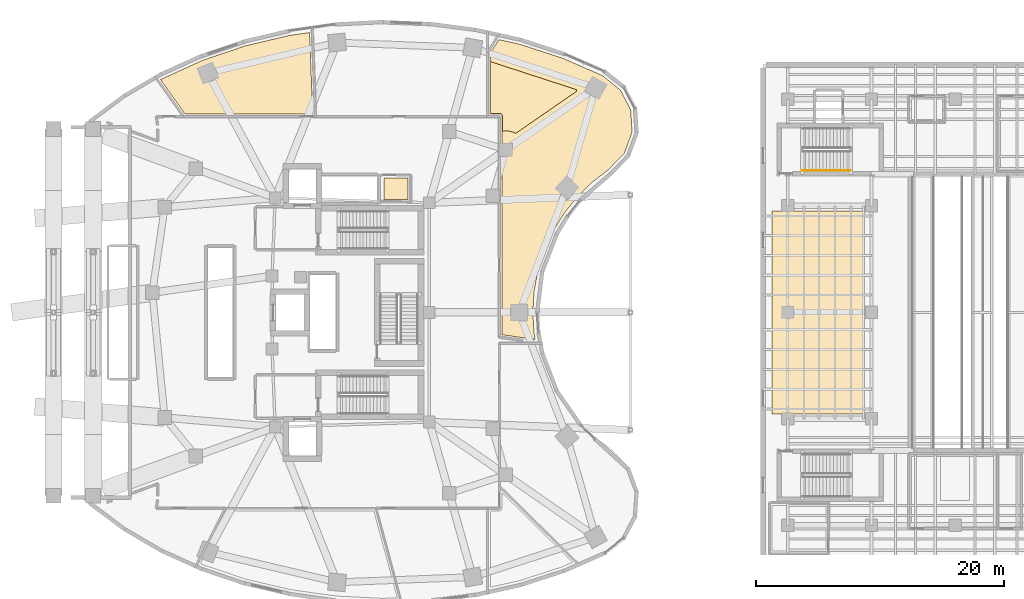
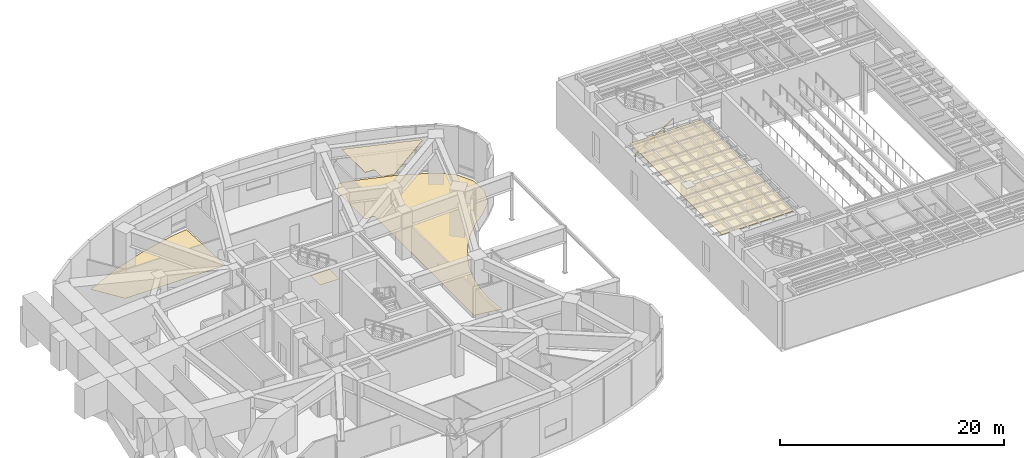
# One storey, part 22 of 23: 5 coverings, 1 railing.
"""IFC4 building model written with IfcOpenShell, lengths in metres."""

from ifc_helpers import new_model, si_unit, direction, frame, origin, origin_2d, place, context, subcontext, project, spatial, polyline, rectangle, outline, extrude, material, layer, layer_set, type_object, element, save


model = new_model("IFC4")

# Units and contexts
model_context = context("Model", 3, precision=1e-05, world=origin(), true_north=direction((0.0, 1.0)))
body_context = subcontext(model_context, "Body", "Model", "MODEL_VIEW")
ifc_project = project(units=[si_unit("LENGTHUNIT", "METRE"), si_unit("AREAUNIT", "SQUARE_METRE"), si_unit("VOLUMEUNIT", "CUBIC_METRE"), si_unit("PLANEANGLEUNIT", "RADIAN"), si_unit("MASSUNIT", "GRAM", prefix="KILO")], contexts=[model_context])

# Site, building, storey
site_placement = place(None, origin())
site = spatial("IfcSite", under=ifc_project, at=site_placement, CompositionType="ELEMENT")
building_placement = place(site_placement, origin())
building = spatial("IfcBuilding", under=site, at=building_placement, Name="Korentha Bioscience Tower", CompositionType="ELEMENT")
storey_placement = place(building_placement, frame((0.0, 0.0, 15.0)))
storey = spatial("IfcBuildingStorey", under=building, at=storey_placement, Name="L03", CompositionType="ELEMENT", Elevation=15.0)

# Covering
ifc_material_1 = material(Name="Vitrified Porcelain Tile", Category="ceramic")
ifc_layer_1 = layer(ifc_material_1, 0.014892578125, Name="Vitrified Porcelain Tile")
ifc_layer_set_1 = layer_set([ifc_layer_1], Name="Vitrified Porcelain Tile (FL-CER)")
covering_type_1 = type_object("IfcCoveringType", Name="Anti-Slip Ceramic Wet-Room Tile Flooring 15", PredefinedType="FLOORING", material=ifc_layer_set_1)
covering_1_placement = place(storey_placement, origin())
element("IfcCovering", 1, at=covering_1_placement, inside=storey, type_object=covering_type_1, Name="L03 Accessible Staff WC Floor Finish", PredefinedType="FLOORING", context=body_context, shape_type="SweptSolid", body=[
    extrude(outline(polyline([(33.8701171875, 36.1298828125), (33.8701171875, 37.8701171875), (35.830078125, 37.8701171875), (35.830078125, 36.1298828125), (33.8701171875, 36.1298828125)])), origin(), (0.0, 0.0, 1.0), 0.014892578125),
])

# Railing
ifc_material_2 = material(Name="Stainless Steel 304", Category="steel")
railing_type = type_object("IfcRailingType", Name="Brushed Stainless Stair Handrail 900", PredefinedType="HANDRAIL", material=ifc_material_2)
railing_placement = place(storey_placement, frame((67.64990234375, 38.449951171875, 0.179931640625)))
element("IfcRailing", 2, at=railing_placement, inside=storey, type_object=railing_type, Name="L03 ST-T2 stair handrail 1", PredefinedType="HANDRAIL", context=body_context, shape_type="SweptSolid", body=[
    extrude(rectangle(XDim=0.048095703125, YDim=0.048095703125, at=origin_2d()), frame((0.0, 0.0, 0.8759765625), z_axis=(0.841186985886, 0.0, 0.540744352514), x_axis=(0.0, 1.0, 0.0)), (0.0, 0.0, 1.0), 4.660400390625),
    extrude(rectangle(XDim=0.0419921875, YDim=0.0419921875, at=origin_2d()), origin(), (0.0, 0.0, 1.0), 0.851806640625),
    extrude(rectangle(XDim=0.0419921875, YDim=0.0419921875, at=origin_2d()), frame((0.97998046875, 0.0, 0.6298828125)), (0.0, 0.0, 1.0), 0.851806640625),
    extrude(rectangle(XDim=0.0419921875, YDim=0.0419921875, at=origin_2d()), frame((1.9599609375, 0.0, 1.260009765625)), (0.0, 0.0, 1.0), 0.851806640625),
    extrude(rectangle(XDim=0.0419921875, YDim=0.0419921875, at=origin_2d()), frame((2.940185546875, 0.0, 1.89013671875)), (0.0, 0.0, 1.0), 0.851806640625),
    extrude(rectangle(XDim=0.0419921875, YDim=0.0419921875, at=origin_2d()), frame((3.920166015625, 0.0, 2.52001953125)), (0.0, 0.0, 1.0), 0.851806640625),
])

# Coverings
ifc_material_3 = material(Name="Antimicrobial Mineral Fibre Board", Category="gypsum")
ifc_layer_2 = layer(ifc_material_3, 0.034912109375, Name="Antimicrobial Mineral Fibre Board")
ifc_layer_set_2 = layer_set([ifc_layer_2], Name="Antimicrobial Mineral Fibre Board (CL-MF35)")
covering_type_2 = type_object("IfcCoveringType", Name="Mineral-Fibre Cleanroom Suspended Ceiling 35", PredefinedType="CEILING", material=ifc_layer_set_2)
covering_2_placement = place(storey_placement, frame((0.0, 0.0, 5.014892578125)))
element("IfcCovering", 3, at=covering_2_placement, inside=storey, type_object=covering_type_2, Name="L03 Audio-Visual Equipment Store 06 Acoustic Ceiling", PredefinedType="CEILING", context=body_context, shape_type="SweptSolid", body=[
    extrude(outline(polyline([(43.459716796875, 42.812255859375), (43.408447265625, 42.955322265625), (43.3544921875, 43.009033203125), (43.263671875, 43.052001953125), (42.501953125, 43.06005859375), (42.501953125, 47.24267578125), (49.434814453125, 44.985595703125), (49.452392578125, 44.864990234375), (44.517333984375, 41.452392578125), (44.31982421875, 41.55322265625), (44.029052734375, 41.6416015625), (43.7265625, 41.67138671875), (43.4599609375, 41.646728515625), (43.459716796875, 42.812255859375)])), origin(), (0.0, 0.0, 1.0), 0.03515625),
])
ifc_material_4 = material(Name="Perforated Powder-Coated Aluminium", Category="aluminium")
ifc_layer_3 = layer(ifc_material_4, 0.044921875, Name="Perforated Powder-Coated Aluminium")
ifc_layer_set_3 = layer_set([ifc_layer_3], Name="Perforated Powder-Coated Aluminium (CL-M45)")
covering_type_3 = type_object("IfcCoveringType", Name="Perforated Metal Laboratory Acoustic Ceiling 45", PredefinedType="CEILING", material=ifc_layer_set_3)
covering_3_placement = place(storey_placement, frame((0.0, 0.0, 5.0048828125)))
element("IfcCovering", 4, at=covering_3_placement, inside=storey, type_object=covering_type_3, Name="L03 Acoustic Metal Baffle Ceiling", PredefinedType="CEILING", context=body_context, shape_type="SweptSolid", body=[
    extrude(outline(polyline([(65.199951171875, 18.800048828125), (72.60009765625, 18.800048828125), (72.60009765625, 35.199951171875), (65.199951171875, 35.199951171875), (65.199951171875, 18.800048828125)])), origin(), (0.0, 0.0, 1.0), 0.045166015625),
])
ifc_material_5 = material(Name="Chemical-Resistant Epoxy Resin", Category="polymer")
ifc_layer_4 = layer(ifc_material_5, 0.011962890625, Name="Chemical-Resistant Epoxy Resin")
ifc_layer_set_4 = layer_set([ifc_layer_4], Name="Chemical-Resistant Epoxy Resin (FL-EPX)")
covering_type_4 = type_object("IfcCoveringType", Name="Seamless Epoxy Laboratory Flooring 12", PredefinedType="FLOORING", material=ifc_layer_set_4)
covering_4_placement = place(storey_placement, origin())
element("IfcCovering", 5, at=covering_4_placement, inside=storey, type_object=covering_type_4, Name="L03 Audio-Visual Equipment Store 06 Floor Finish", PredefinedType="FLOORING", context=body_context, shape_type="SweptSolid", body=[
    extrude(outline(polyline([(43.1640625, 49.031494140625), (44.857177734375, 48.65283203125), (48.31005859375, 47.52978515625), (51.5166015625, 46.125), (52.96630859375, 44.970458984375), (53.805419921875, 43.364501953125), (53.922607421875, 41.556396484375), (53.297607421875, 39.855712890625), (51.98876953125, 38.503173828125), (50.68212890625, 37.497314453125), (49.464111328125, 36.296142578125), (48.4384765625, 35.006591796875), (48.041015625, 34.365234375), (47.526123046875, 33.518310546875), (46.83984375, 32.0126953125), (46.32421875, 30.385498046875), (46.007568359375, 28.676025390625), (45.90625, 26.9755859375), (46.007080078125, 25.327392578125), (46.098388671875, 24.817626953125), (43.429931640625, 25.1923828125), (43.4296875, 42.811767578125), (43.41650390625, 42.8779296875), (43.37060546875, 42.9541015625), (43.25537109375, 43.023193359375), (42.471923828125, 43.030029296875), (42.471923828125, 47.93701171875), (43.1640625, 49.031494140625)])), origin(), (0.0, 0.0, 1.0), 0.011962890625),
])
covering_5_placement = place(storey_placement, origin())
element("IfcCovering", 6, at=covering_5_placement, inside=storey, type_object=covering_type_4, Name="L03 Academic Poster Exhibition Lounge 08 Floor Finish", PredefinedType="FLOORING", context=body_context, shape_type="SweptSolid", body=[
    extrude(outline(polyline([(16.045654296875, 45.90478515625), (19.25830078125, 47.36279296875), (22.68701171875, 48.525390625), (26.28173828125, 49.375), (27.877197265625, 49.600341796875), (28.129638671875, 43.030029296875), (17.812255859375, 43.030029296875), (15.845458984375, 45.787109375), (16.045654296875, 45.90478515625)])), origin(), (0.0, 0.0, 1.0), 0.011962890625),
])

save(model, "model.ifc")
